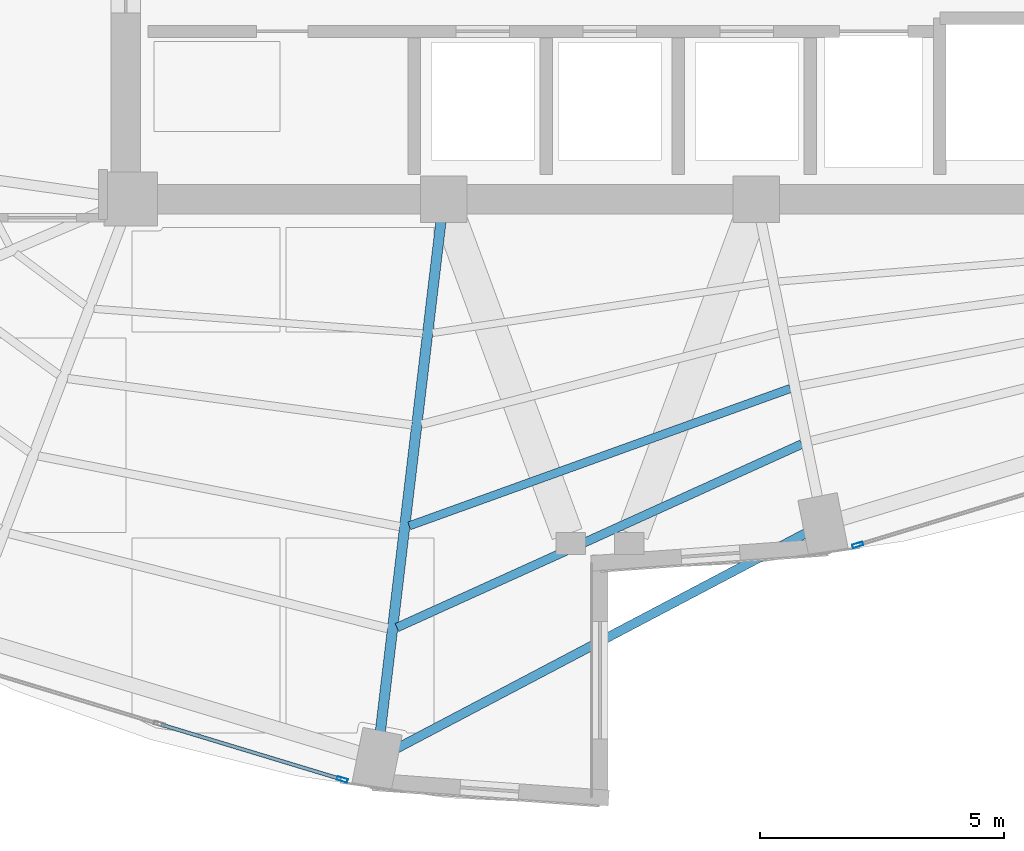
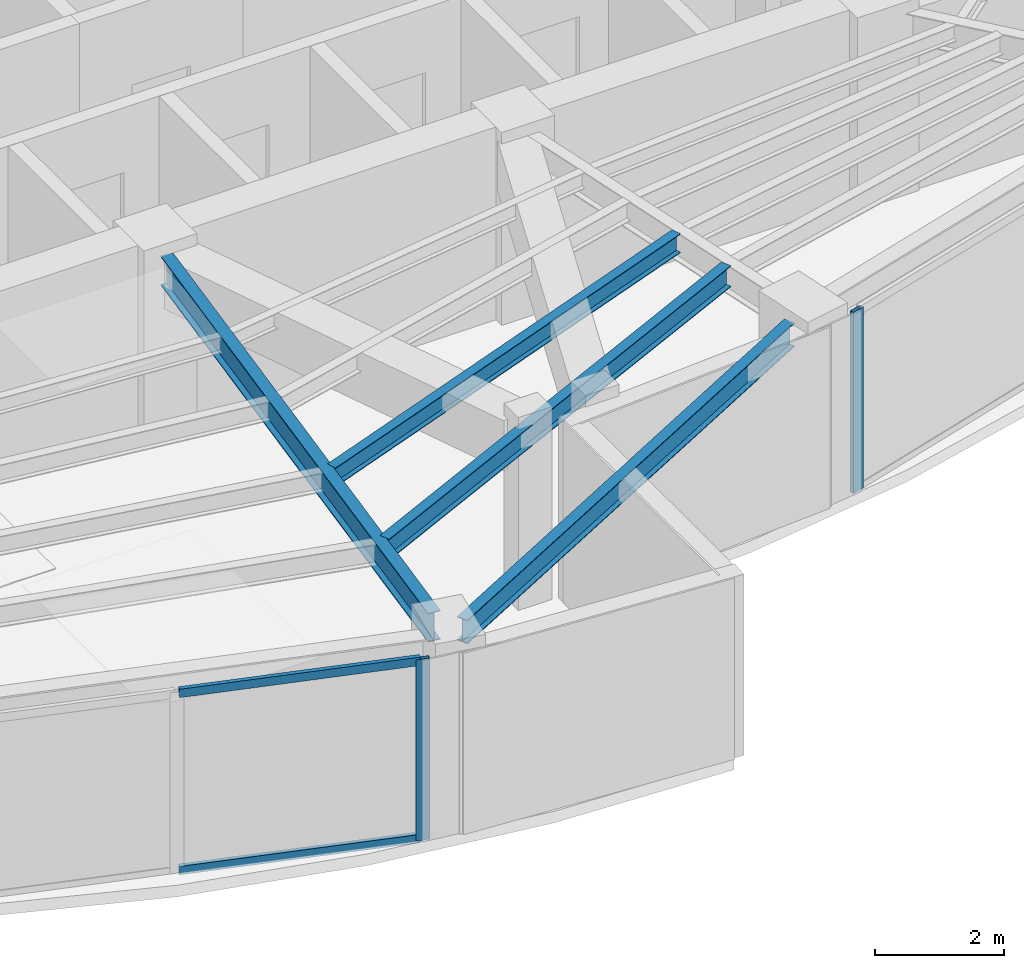
# One storey, part 4 of 20: 4 beams, 4 members, 2 elements without a shape of their own.
"""IFC4 building model written with IfcOpenShell, lengths in metres."""

from ifc_helpers import new_model, si_unit, direction, frame, origin, origin_2d, place, context, subcontext, project, spatial, hollow_rectangle, i_section, extrude, material, layer, layer_set, material_profile, profile_set, type_object, element, aggregate, save


model = new_model("IFC4")

# Units and contexts
model_context = context("Model", 3, precision=1e-05, world=origin(), true_north=direction((0.0, 1.0)))
body_context = subcontext(model_context, "Body", "Model", "MODEL_VIEW")
ifc_project = project(units=[si_unit("LENGTHUNIT", "METRE"), si_unit("AREAUNIT", "SQUARE_METRE"), si_unit("VOLUMEUNIT", "CUBIC_METRE"), si_unit("PLANEANGLEUNIT", "RADIAN"), si_unit("MASSUNIT", "GRAM", prefix="KILO")], contexts=[model_context])

# Site, building, storey
site_placement = place(None, origin())
site = spatial("IfcSite", under=ifc_project, at=site_placement, CompositionType="ELEMENT")
building_placement = place(site_placement, origin())
building = spatial("IfcBuilding", under=site, at=building_placement, Name="Lazwardi Medical Tower", CompositionType="ELEMENT")
storey_placement = place(building_placement, frame((0.0, 0.0, 174.76806640625)))
storey = spatial("IfcBuildingStorey", under=building, at=storey_placement, Name="L45", CompositionType="ELEMENT", Elevation=174.76806640625)

# Beams
ifc_material_1 = material(Name="Steel S355", Category="steel")
ifc_material_profile_1 = material_profile(ifc_material_1, i_section(OverallWidth=0.2099609375, OverallDepth=0.550048828125, WebThickness=0.010986328125, FlangeThickness=0.01708984375, at=origin_2d()), Name="IPE 550")
ifc_profile_set_1 = profile_set([ifc_material_profile_1], Name="Steel S355")
beam_type_1 = type_object("IfcBeamType", Name="BM-RG-W2", PredefinedType="BEAM", material=ifc_profile_set_1)
beam_1_placement = place(storey_placement, frame((31.505859375, 9.50732421875, 3.15283203125), z_axis=(0.117968004211, 0.993017396616, 0.0), x_axis=(-0.993017396616, 0.117968004211, 0.0)))
element("IfcBeam", 1, at=beam_1_placement, inside=storey, type_object=beam_type_1, Name="Radial girder RG-03 R16 L45", PredefinedType="BEAM", context=body_context, shape_type="SweptSolid", body=[
    extrude(i_section(OverallWidth=0.2099609375, OverallDepth=0.550048828125, WebThickness=0.010986328125, FlangeThickness=0.01708984375, at=origin_2d()), origin(), (0.0, 0.0, 1.0), 10.50927734375),
])
ifc_material_profile_2 = material_profile(ifc_material_1, i_section(OverallWidth=0.179931640625, OverallDepth=0.39990234375, WebThickness=0.008544921875, FlangeThickness=0.013427734375, at=origin_2d()), Name="IPE 400")
ifc_profile_set_2 = profile_set([ifc_material_profile_2], Name="Steel S355")
beam_type_2 = type_object("IfcBeamType", Name="BM-SJ-01", PredefinedType="JOIST", material=ifc_profile_set_2)
beam_2_placement = place(storey_placement, frame((31.844970703125, 11.6357421875, 3.22802734375), z_axis=(0.910834000674, 0.412772846995, 0.0), x_axis=(-0.412772846995, 0.910834000674, 0.0)))
element("IfcBeam", 2, at=beam_2_placement, inside=storey, type_object=beam_type_2, Name="Secondary joist SJ-01 R1 B16 L45", PredefinedType="JOIST", context=body_context, shape_type="SweptSolid", body=[
    extrude(i_section(OverallWidth=0.179931640625, OverallDepth=0.39990234375, WebThickness=0.008544921875, FlangeThickness=0.013427734375, at=origin_2d()), origin(), (0.0, 0.0, 1.0), 9.09130859375),
])
ifc_material_profile_3 = material_profile(ifc_material_1, i_section(OverallWidth=0.169921875, OverallDepth=0.360107421875, WebThickness=0.008056640625, FlangeThickness=0.0126953125, at=origin_2d()), Name="IPE 360")
ifc_profile_set_3 = profile_set([ifc_material_profile_3], Name="Steel S355")
beam_type_3 = type_object("IfcBeamType", Name="BM-SJ-02", PredefinedType="JOIST", material=ifc_profile_set_3)
beam_3_placement = place(storey_placement, frame((32.095947265625, 13.715576171875, 3.248046875), z_axis=(0.940747993319, 0.339106492221, 0.0), x_axis=(-0.339106492221, 0.940747993319, 0.0)))
element("IfcBeam", 3, at=beam_3_placement, inside=storey, type_object=beam_type_3, Name="Secondary joist SJ-02 R2 B16 L45", PredefinedType="JOIST", context=body_context, shape_type="SweptSolid", body=[
    extrude(i_section(OverallWidth=0.169921875, OverallDepth=0.360107421875, WebThickness=0.008056640625, FlangeThickness=0.0126953125, at=origin_2d()), origin(), (0.0, 0.0, 1.0), 8.28662109375),
])
ifc_material_profile_4 = material_profile(ifc_material_1, i_section(OverallWidth=0.18994140625, OverallDepth=0.449951171875, WebThickness=0.009521484375, FlangeThickness=0.0146484375, at=origin_2d()), Name="IPE 450")
ifc_profile_set_4 = profile_set([ifc_material_profile_4], Name="Steel S355")
beam_type_4 = type_object("IfcBeamType", Name="BM-SP-01", PredefinedType="SPANDREL", material=ifc_profile_set_4)
beam_4_placement = place(storey_placement, frame((31.793701171875, 9.137451171875, 3.202880859375), z_axis=(0.884926578414, 0.465730556026, 0.0), x_axis=(-0.465730556026, 0.884926578414, 0.0)))
element("IfcBeam", 4, at=beam_4_placement, inside=storey, type_object=beam_type_4, Name="Spandrel beam SP-01 B16 L45", PredefinedType="SPANDREL", context=body_context, shape_type="SweptSolid", body=[
    extrude(i_section(OverallWidth=0.18994140625, OverallDepth=0.449951171875, WebThickness=0.009521484375, FlangeThickness=0.0146484375, at=origin_2d()), origin(), (0.0, 0.0, 1.0), 9.506591796875),
])

# Curtain wall, member
ifc_material_2 = material(Name="Anodised bronze aluminium and solar control glazing", Category="aluminium")
ifc_layer = layer(ifc_material_2, 0.195068359375)
ifc_layer_set = layer_set([ifc_layer], Name="Anodised bronze aluminium and solar control glazing")
curtain_wall_type = type_object("IfcCurtainWallType", Name="CW-SYS-03", PredefinedType="NOTDEFINED", material=ifc_layer_set)
curtain_wall_1_placement = place(storey_placement, origin())
curtain_wall_1 = element("IfcCurtainWall", 5, at=curtain_wall_1_placement, inside=storey, type_object=curtain_wall_type, Name="L45 Unitised bronze curtain wall CW-03", PredefinedType="NOTDEFINED")
ifc_material_3 = material(Name="Anodised bronze aluminium", Category="aluminium")
ifc_material_profile_5 = material_profile(ifc_material_3, hollow_rectangle(XDim=0.074951171875, YDim=0.219970703125, WallThickness=0.00390625, at=origin_2d()), Name="ALU-MULLION 220x75x4")
ifc_profile_set_5 = profile_set([ifc_material_profile_5], Name="Anodised bronze aluminium")
member_type_1 = type_object("IfcMemberType", Name="CW-MUL-01", PredefinedType="MULLION", material=ifc_profile_set_5)
member_1_placement = place(storey_placement, frame((41.27197265625, 13.325927734375, 0.0), z_axis=(0.0, 0.0, 1.0), x_axis=(-0.290280785441, 0.956941516292, 0.0)))
member_1 = element("IfcMember", 6, at=member_1_placement, type_object=member_type_1, Name="CW-03 mullion 1", PredefinedType="MULLION", context=body_context, shape_type="SweptSolid", body=[
    extrude(hollow_rectangle(XDim=0.074951171875, YDim=0.219970703125, WallThickness=0.00390625, at=origin_2d()), origin(), (0.0, 0.0, 1.0), 3.427978515625),
])
aggregate(curtain_wall_1, [member_1])

# Curtain wall, members
curtain_wall_2_placement = place(storey_placement, origin())
curtain_wall_2 = element("IfcCurtainWall", 7, at=curtain_wall_2_placement, inside=storey, type_object=curtain_wall_type, Name="L45 Unitised bronze curtain wall CW-03", PredefinedType="NOTDEFINED")
member_2_placement = place(storey_placement, frame((30.72802734375, 8.52587890625, 0.0), z_axis=(0.0, 0.0, 1.0), x_axis=(0.290280785441, 0.956941516292, 0.0)))
member_2 = element("IfcMember", 8, at=member_2_placement, type_object=member_type_1, Name="CW-03 mullion 3", PredefinedType="MULLION", context=body_context, shape_type="SweptSolid", body=[
    extrude(hollow_rectangle(XDim=0.074951171875, YDim=0.219970703125, WallThickness=0.00390625, at=origin_2d()), origin(), (0.0, 0.0, 1.0), 3.427978515625),
])
ifc_material_profile_6 = material_profile(ifc_material_3, hollow_rectangle(XDim=0.074951171875, YDim=0.159912109375, WallThickness=0.00390625, at=origin_2d()), Name="ALU-TRANSOM 160x75x4")
ifc_profile_set_6 = profile_set([ifc_material_profile_6], Name="Anodised bronze aluminium")
member_type_2 = type_object("IfcMemberType", Name="CW-TRN-01", PredefinedType="USERDEFINED", material=ifc_profile_set_6)
member_3_placement = place(storey_placement, frame((27.020751953125, 9.650390625, 0.037353515625), z_axis=(0.95695319357, -0.290242287264, 0.0), x_axis=(0.290242287264, 0.95695319357, 0.0)))
member_3 = element("IfcMember", 9, at=member_3_placement, type_object=member_type_2, Name="CW-03 transom 2.1", ObjectType="TRANSOM", PredefinedType="USERDEFINED", context=body_context, shape_type="SweptSolid", body=[
    extrude(hollow_rectangle(XDim=0.074951171875, YDim=0.159912109375, WallThickness=0.00390625, at=origin_2d()), origin(), (0.0, 0.0, 1.0), 3.83642578125),
])
member_4_placement = place(storey_placement, frame((27.020751953125, 9.650390625, 3.390380859375), z_axis=(0.95695319357, -0.290242287264, 0.0), x_axis=(0.290242287264, 0.95695319357, 0.0)))
member_4 = element("IfcMember", 10, at=member_4_placement, type_object=member_type_2, Name="CW-03 transom 2.2", ObjectType="TRANSOM", PredefinedType="USERDEFINED", context=body_context, shape_type="SweptSolid", body=[
    extrude(hollow_rectangle(XDim=0.074951171875, YDim=0.159912109375, WallThickness=0.00390625, at=origin_2d()), origin(), (0.0, 0.0, 1.0), 3.83642578125),
])
aggregate(curtain_wall_2, [member_2, member_3, member_4])

save(model, "model.ifc")
